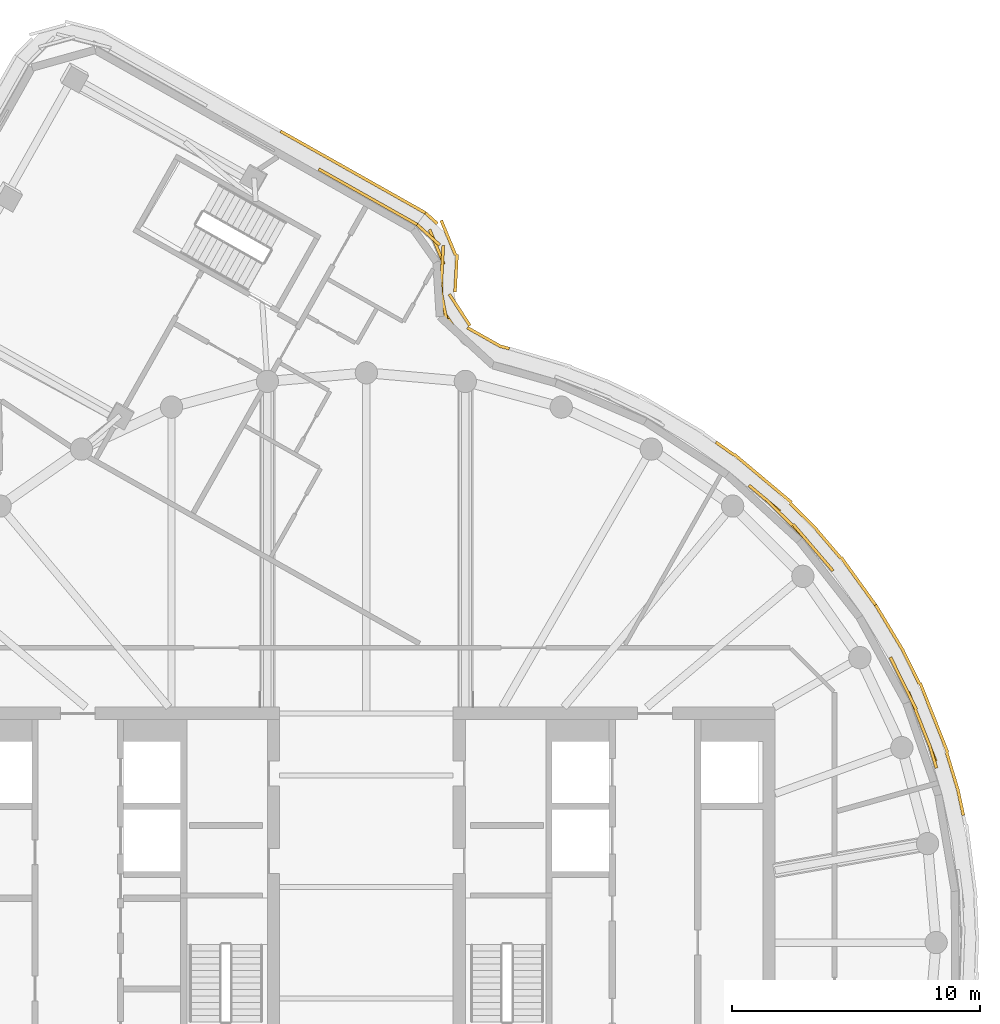
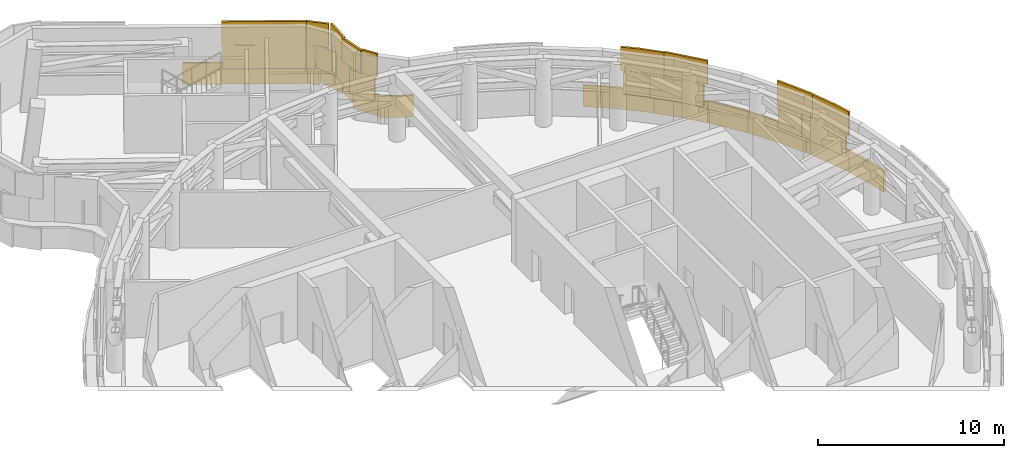
# One storey, part 15 of 15: 4 coverings.
"""IFC4 building model written with IfcOpenShell, lengths in metres."""

from ifc_helpers import new_model, si_unit, direction, frame, origin, origin_2d, place, context, subcontext, project, spatial, rectangle, extrude, material, layer, layer_set, type_object, element, save


model = new_model("IFC4")

# Units and contexts
model_context = context("Model", 3, precision=1e-05, world=origin(), true_north=direction((0.0, 1.0)))
body_context = subcontext(model_context, "Body", "Model", "MODEL_VIEW")
ifc_project = project(units=[si_unit("LENGTHUNIT", "METRE"), si_unit("AREAUNIT", "SQUARE_METRE"), si_unit("VOLUMEUNIT", "CUBIC_METRE"), si_unit("PLANEANGLEUNIT", "RADIAN"), si_unit("MASSUNIT", "GRAM", prefix="KILO")], contexts=[model_context])

# Site, building, storey
site_placement = place(None, origin())
site = spatial("IfcSite", under=ifc_project, at=site_placement, CompositionType="ELEMENT")
building_placement = place(site_placement, origin())
building = spatial("IfcBuilding", under=site, at=building_placement, Name="Tamarind Cross Interchange Tower", CompositionType="ELEMENT")
storey_placement = place(building_placement, frame((0.0, 0.0, 252.300048828125)))
storey = spatial("IfcBuildingStorey", under=building, at=storey_placement, Name="L64", CompositionType="ELEMENT", Elevation=252.300048828125)

# Coverings
ifc_material = material(Name="Terracotta", Category="masonry")
ifc_layer = layer(ifc_material, 0.1201171875)
ifc_layer_set = layer_set([ifc_layer], Name="Terracotta")
covering_type = type_object("IfcCoveringType", Name="Terracotta baguette screen unit", PredefinedType="MOLDING", material=ifc_layer_set)
covering_1_placement = place(storey_placement, origin())
element("IfcCovering", 1, at=covering_1_placement, inside=storey, type_object=covering_type, Name="SCR-L64-01-08", PredefinedType="MOLDING", context=body_context, shape_type="SweptSolid", body=[
    extrude(rectangle(XDim=1.52001953125, YDim=0.1201171875, at=origin_2d()), frame((22.709716796875, 8.013427734375, 1.404052734375), z_axis=(0.0, 0.0, 1.0), x_axis=(-0.367513773146, 0.930018078613, 0.0)), (0.0, 0.0, 1.0), 1.5419921875),
    extrude(rectangle(XDim=1.52001953125, YDim=0.1201171875, at=origin_2d()), frame((22.158447265625, 9.408447265625, 1.404052734375), z_axis=(0.0, 0.0, 1.0), x_axis=(-0.367513773146, 0.930018078613, 0.0)), (0.0, 0.0, 1.0), 1.5419921875),
    extrude(rectangle(XDim=1.52001953125, YDim=0.1201171875, at=origin_2d()), frame((21.523193359375, 10.76611328125, 1.404052734375), z_axis=(0.0, 0.0, 1.0), x_axis=(-0.443058811505, 0.896492548518, 0.0)), (0.0, 0.0, 1.0), 1.5419921875),
    extrude(rectangle(XDim=1.021728515625, YDim=0.1201171875, at=origin_2d()), frame((22.864013671875, 7.531982421875, 2.953857421875), z_axis=(0.0, 0.0, 1.0), x_axis=(-0.289458243079, 0.957190642199, 0.0)), (0.0, 0.0, 1.0), 1.5419921875),
    extrude(rectangle(XDim=1.52001953125, YDim=0.1201171875, at=origin_2d()), frame((22.43408203125, 8.7109375, 2.953857421875), z_axis=(0.0, 0.0, 1.0), x_axis=(-0.367513773146, 0.930018078613, 0.0)), (0.0, 0.0, 1.0), 1.5419921875),
    extrude(rectangle(XDim=1.52001953125, YDim=0.1201171875, at=origin_2d()), frame((21.85546875, 10.09375, 2.953857421875), z_axis=(0.0, 0.0, 1.0), x_axis=(-0.443058811505, 0.896492548518, 0.0)), (0.0, 0.0, 1.0), 1.5419921875),
    extrude(rectangle(XDim=0.841064453125, YDim=0.1201171875, at=origin_2d()), frame((21.339111328125, 11.138671875, 2.953857421875), z_axis=(0.0, 0.0, 1.0), x_axis=(-0.443058811505, 0.896492548518, 0.0)), (0.0, 0.0, 1.0), 1.5419921875),
    extrude(rectangle(XDim=1.130615234375, YDim=0.1201171875, at=origin_2d()), frame((23.979736328125, 5.68896484375, 0.00390625), z_axis=(0.0, 0.0, 1.0), x_axis=(-0.209425419705, 0.977824623121, 0.0)), (0.0, 0.0, 1.0), 1.39208984375),
    extrude(rectangle(XDim=1.52001953125, YDim=0.1201171875, at=origin_2d()), frame((23.640380859375, 6.9482421875, 0.00390625), z_axis=(0.0, 0.0, 1.0), x_axis=(-0.289458243079, 0.957190642199, 0.0)), (0.0, 0.0, 1.0), 1.39208984375),
    extrude(rectangle(XDim=1.52001953125, YDim=0.1201171875, at=origin_2d()), frame((23.18359375, 8.376220703125, 0.00390625), z_axis=(0.0, 0.0, 1.0), x_axis=(-0.367513773146, 0.930018078613, 0.0)), (0.0, 0.0, 1.0), 1.39208984375),
    extrude(rectangle(XDim=1.52001953125, YDim=0.1201171875, at=origin_2d()), frame((22.63232421875, 9.771240234375, 0.00390625), z_axis=(0.0, 0.0, 1.0), x_axis=(-0.367513773146, 0.930018078613, 0.0)), (0.0, 0.0, 1.0), 1.39208984375),
    extrude(rectangle(XDim=1.52001953125, YDim=0.1201171875, at=origin_2d()), frame((21.986572265625, 11.124267578125, 0.00390625), z_axis=(0.0, 0.0, 1.0), x_axis=(-0.443058811505, 0.896492548518, 0.0)), (0.0, 0.0, 1.0), 1.39208984375),
    extrude(rectangle(XDim=1.52001953125, YDim=0.1201171875, at=origin_2d()), frame((21.270263671875, 12.440673828125, 0.00390625), z_axis=(0.0, 0.0, 1.0), x_axis=(-0.515577308909, 0.856843065292, 0.0)), (0.0, 0.0, 1.0), 1.39208984375),
    extrude(rectangle(XDim=0.64794921875, YDim=0.1201171875, at=origin_2d()), frame((20.7216796875, 13.3525390625, 0.00390625), z_axis=(0.0, 0.0, 1.0), x_axis=(-0.515577308909, 0.856843065292, 0.0)), (0.0, 0.0, 1.0), 1.39208984375),
])
covering_2_placement = place(storey_placement, origin())
element("IfcCovering", 2, at=covering_2_placement, inside=storey, type_object=covering_type, Name="SCR-L64-01-09", PredefinedType="MOLDING", context=body_context, shape_type="SweptSolid", body=[
    extrude(rectangle(XDim=1.52001953125, YDim=0.1201171875, at=origin_2d()), frame((18.20361328125, 15.741455078125, 1.404052734375), z_axis=(0.0, 0.0, 1.0), x_axis=(-0.64957723968, 0.760295606781, 0.0)), (0.0, 0.0, 1.0), 1.5419921875),
    extrude(rectangle(XDim=1.52001953125, YDim=0.1201171875, at=origin_2d()), frame((17.18994140625, 16.845458984375, 1.404052734375), z_axis=(0.0, 0.0, 1.0), x_axis=(-0.710143317658, 0.704057148523, 0.0)), (0.0, 0.0, 1.0), 1.5419921875),
    extrude(rectangle(XDim=1.52001953125, YDim=0.1201171875, at=origin_2d()), frame((16.115966796875, 17.89208984375, 1.404052734375), z_axis=(0.0, 0.0, 1.0), x_axis=(-0.765858396687, 0.643009266048, 0.0)), (0.0, 0.0, 1.0), 1.5419921875),
    extrude(rectangle(XDim=0.978759765625, YDim=0.1201171875, at=origin_2d()), frame((18.518310546875, 15.373291015625, 2.953857421875), z_axis=(0.0, 0.0, 1.0), x_axis=(-0.64957723968, 0.760295606781, 0.0)), (0.0, 0.0, 1.0), 1.5419921875),
    extrude(rectangle(XDim=1.52001953125, YDim=0.1201171875, at=origin_2d()), frame((17.71630859375, 16.311767578125, 2.953857421875), z_axis=(0.0, 0.0, 1.0), x_axis=(-0.64957723968, 0.760295606781, 0.0)), (0.0, 0.0, 1.0), 1.5419921875),
    extrude(rectangle(XDim=1.52001953125, YDim=0.1201171875, at=origin_2d()), frame((16.657470703125, 17.37353515625, 2.953857421875), z_axis=(0.0, 0.0, 1.0), x_axis=(-0.710143317658, 0.704057148523, 0.0)), (0.0, 0.0, 1.0), 1.5419921875),
    extrude(rectangle(XDim=0.88427734375, YDim=0.1201171875, at=origin_2d()), frame((15.78125, 18.173095703125, 2.953857421875), z_axis=(0.0, 0.0, 1.0), x_axis=(-0.765858396687, 0.643009266048, 0.0)), (0.0, 0.0, 1.0), 1.5419921875),
    extrude(rectangle(XDim=0.8720703125, YDim=0.1201171875, at=origin_2d()), frame((20.29541015625, 13.98095703125, 0.00390625), z_axis=(0.0, 0.0, 1.0), x_axis=(-0.584573890505, 0.811340475102, 0.0)), (0.0, 0.0, 1.0), 1.39208984375),
    extrude(rectangle(XDim=1.52001953125, YDim=0.1201171875, at=origin_2d()), frame((19.60791015625, 14.93505859375, 0.00390625), z_axis=(0.0, 0.0, 1.0), x_axis=(-0.584573890505, 0.811340475102, 0.0)), (0.0, 0.0, 1.0), 1.39208984375),
    extrude(rectangle(XDim=1.52001953125, YDim=0.1201171875, at=origin_2d()), frame((18.6572265625, 16.09423828125, 0.00390625), z_axis=(0.0, 0.0, 1.0), x_axis=(-0.64957723968, 0.760295606781, 0.0)), (0.0, 0.0, 1.0), 1.39208984375),
    extrude(rectangle(XDim=1.52001953125, YDim=0.1201171875, at=origin_2d()), frame((17.646728515625, 17.200927734375, 0.00390625), z_axis=(0.0, 0.0, 1.0), x_axis=(-0.710143317658, 0.704057148523, 0.0)), (0.0, 0.0, 1.0), 1.39208984375),
    extrude(rectangle(XDim=1.52001953125, YDim=0.1201171875, at=origin_2d()), frame((16.578125, 18.25341796875, 0.00390625), z_axis=(0.0, 0.0, 1.0), x_axis=(-0.765858396687, 0.643009266048, 0.0)), (0.0, 0.0, 1.0), 1.39208984375),
    extrude(rectangle(XDim=1.52001953125, YDim=0.1201171875, at=origin_2d()), frame((15.429443359375, 19.218017578125, 0.00390625), z_axis=(0.0, 0.0, 1.0), x_axis=(-0.765858396687, 0.643009266048, 0.0)), (0.0, 0.0, 1.0), 1.39208984375),
    extrude(rectangle(XDim=0.90673828125, YDim=0.1201171875, at=origin_2d()), frame((14.479248046875, 19.9384765625, 0.00390625), z_axis=(0.0, 0.0, 1.0), x_axis=(-0.816341886298, 0.577568978284, 0.0)), (0.0, 0.0, 1.0), 1.39208984375),
])
covering_3_placement = place(storey_placement, origin())
element("IfcCovering", 3, at=covering_3_placement, inside=storey, type_object=covering_type, Name="SCR-L64-01-11", PredefinedType="MOLDING", context=body_context, shape_type="SweptSolid", body=[
    extrude(rectangle(XDim=1.52001953125, YDim=0.1201171875, at=origin_2d()), frame((3.31005859375, 25.181396484375, 1.404052734375), z_axis=(0.0, 0.0, 1.0), x_axis=(-0.55006735433, 0.835120294149, 0.0)), (0.0, 0.0, 1.0), 1.5419921875),
    extrude(rectangle(XDim=1.52001953125, YDim=0.1201171875, at=origin_2d()), frame((3.0322265625, 26.6298828125, 1.404052734375), z_axis=(0.0, 0.0, 1.0), x_axis=(0.025274267239, 0.999680554685, 0.0)), (0.0, 0.0, 1.0), 1.5419921875),
    extrude(rectangle(XDim=1.52001953125, YDim=0.1201171875, at=origin_2d()), frame((2.84033203125, 28.0830078125, 1.404052734375), z_axis=(0.0, 0.0, 1.0), x_axis=(-0.381178257604, 0.924501560804, 0.0)), (0.0, 0.0, 1.0), 1.5419921875),
    extrude(rectangle(XDim=0.4873046875, YDim=0.1201171875, at=origin_2d()), frame((2.220947265625, 28.826416015625, 1.404052734375), z_axis=(0.0, 0.0, 1.0), x_axis=(-0.741599281417, 0.670843130547, 0.0)), (0.0, 0.0, 1.0), 1.5419921875),
    extrude(rectangle(XDim=0.899169921875, YDim=0.1201171875, at=origin_2d()), frame((3.5546875, 24.810302734375, 2.953857421875), z_axis=(0.0, 0.0, 1.0), x_axis=(-0.55006735433, 0.835120294149, 0.0)), (0.0, 0.0, 1.0), 1.5419921875),
    extrude(rectangle(XDim=1.52001953125, YDim=0.1201171875, at=origin_2d()), frame((3.0908203125, 25.886474609375, 2.953857421875), z_axis=(0.0, 0.0, 1.0), x_axis=(-0.189664586891, 0.981848941782, 0.0)), (0.0, 0.0, 1.0), 1.5419921875),
    extrude(rectangle(XDim=1.52001953125, YDim=0.1201171875, at=origin_2d()), frame((3.06396484375, 27.379150390625, 2.953857421875), z_axis=(0.0, 0.0, 1.0), x_axis=(0.05328508512, 0.998579340715, 0.0)), (0.0, 0.0, 1.0), 1.5419921875),
    extrude(rectangle(XDim=1.2373046875, YDim=0.1201171875, at=origin_2d()), frame((2.4990234375, 28.57470703125, 2.953857421875), z_axis=(0.0, 0.0, 1.0), x_axis=(-0.741599281417, 0.670843130547, 0.0)), (0.0, 0.0, 1.0), 1.5419921875),
    extrude(rectangle(XDim=0.4033203125, YDim=0.1201171875, at=origin_2d()), frame((5.57373046875, 24.027099609375, 0.00390625), z_axis=(0.0, 0.0, 1.0), x_axis=(-0.969189778778, 0.246315189773, 0.0)), (0.0, 0.0, 1.0), 1.39208984375),
    extrude(rectangle(XDim=1.52001953125, YDim=0.1201171875, at=origin_2d()), frame((4.737060546875, 24.4482421875, 0.00390625), z_axis=(0.0, 0.0, 1.0), x_axis=(-0.871334751578, 0.490689057034, 0.0)), (0.0, 0.0, 1.0), 1.39208984375),
    extrude(rectangle(XDim=1.52001953125, YDim=0.1201171875, at=origin_2d()), frame((3.761474609375, 25.539794921875, 0.00390625), z_axis=(0.0, 0.0, 1.0), x_axis=(-0.55006735433, 0.835120294149, 0.0)), (0.0, 0.0, 1.0), 1.39208984375),
    extrude(rectangle(XDim=1.52001953125, YDim=0.1201171875, at=origin_2d()), frame((3.61962890625, 27.01806640625, 0.00390625), z_axis=(0.0, 0.0, 1.0), x_axis=(0.05328508512, 0.998579340715, 0.0)), (0.0, 0.0, 1.0), 1.39208984375),
    extrude(rectangle(XDim=1.52001953125, YDim=0.1201171875, at=origin_2d()), frame((3.31005859375, 28.44970703125, 0.00390625), z_axis=(0.0, 0.0, 1.0), x_axis=(-0.381178257604, 0.924501560804, 0.0)), (0.0, 0.0, 1.0), 1.39208984375),
    extrude(rectangle(XDim=0.65087890625, YDim=0.1201171875, at=origin_2d()), frame((2.622802734375, 29.23681640625, 0.00390625), z_axis=(0.0, 0.0, 1.0), x_axis=(-0.741599281417, 0.670843130547, 0.0)), (0.0, 0.0, 1.0), 1.39208984375),
])
covering_4_placement = place(storey_placement, origin())
element("IfcCovering", 4, at=covering_4_placement, inside=storey, type_object=covering_type, Name="SCR-L64-02-00", PredefinedType="MOLDING", context=body_context, shape_type="SweptSolid", body=[
    extrude(rectangle(XDim=1.510009765625, YDim=0.1201171875, at=origin_2d()), frame((1.390380859375, 29.354736328125, 1.404052734375), z_axis=(0.0, 0.0, 1.0), x_axis=(-0.871200102162, 0.490928082303, 0.0)), (0.0, 0.0, 1.0), 1.5419921875),
    extrude(rectangle(XDim=1.52001953125, YDim=0.1201171875, at=origin_2d()), frame((0.083740234375, 30.091064453125, 1.404052734375), z_axis=(0.0, 0.0, 1.0), x_axis=(-0.871200102162, 0.490928082303, 0.0)), (0.0, 0.0, 1.0), 1.5419921875),
    extrude(rectangle(XDim=1.52001953125, YDim=0.1201171875, at=origin_2d()), frame((-1.22314453125, 30.827392578125, 1.404052734375), z_axis=(0.0, 0.0, 1.0), x_axis=(-0.871200102162, 0.490928082303, 0.0)), (0.0, 0.0, 1.0), 1.5419921875),
    extrude(rectangle(XDim=0.760009765625, YDim=0.1201171875, at=origin_2d()), frame((1.71728515625, 29.170654296875, 2.953857421875), z_axis=(0.0, 0.0, 1.0), x_axis=(-0.871200102162, 0.490928082303, 0.0)), (0.0, 0.0, 1.0), 1.5419921875),
    extrude(rectangle(XDim=1.52001953125, YDim=0.1201171875, at=origin_2d()), frame((0.737060546875, 29.722900390625, 2.953857421875), z_axis=(0.0, 0.0, 1.0), x_axis=(-0.871200102162, 0.490928082303, 0.0)), (0.0, 0.0, 1.0), 1.5419921875),
    extrude(rectangle(XDim=1.52001953125, YDim=0.1201171875, at=origin_2d()), frame((-0.569580078125, 30.459228515625, 2.953857421875), z_axis=(0.0, 0.0, 1.0), x_axis=(-0.871200102162, 0.490928082303, 0.0)), (0.0, 0.0, 1.0), 1.5419921875),
    extrude(rectangle(XDim=0.810546875, YDim=0.1201171875, at=origin_2d()), frame((-1.57177734375, 31.02392578125, 2.953857421875), z_axis=(0.0, 0.0, 1.0), x_axis=(-0.871200102162, 0.490928082303, 0.0)), (0.0, 0.0, 1.0), 1.5419921875),
    extrude(rectangle(XDim=1.510009765625, YDim=0.1201171875, at=origin_2d()), frame((1.7236328125, 29.82568359375, 0.00390625), z_axis=(0.0, 0.0, 1.0), x_axis=(-0.871200102162, 0.490928082303, 0.0)), (0.0, 0.0, 1.0), 1.39208984375),
    extrude(rectangle(XDim=1.52001953125, YDim=0.1201171875, at=origin_2d()), frame((0.42138671875, 30.5595703125, 0.00390625), z_axis=(0.0, 0.0, 1.0), x_axis=(-0.871200102162, 0.490928082303, 0.0)), (0.0, 0.0, 1.0), 1.39208984375),
    extrude(rectangle(XDim=1.52001953125, YDim=0.1201171875, at=origin_2d()), frame((-0.885498046875, 31.296142578125, 0.00390625), z_axis=(0.0, 0.0, 1.0), x_axis=(-0.871200102162, 0.490928082303, 0.0)), (0.0, 0.0, 1.0), 1.39208984375),
    extrude(rectangle(XDim=1.52001953125, YDim=0.1201171875, at=origin_2d()), frame((-2.1923828125, 32.032470703125, 0.00390625), z_axis=(0.0, 0.0, 1.0), x_axis=(-0.871200102162, 0.490928082303, 0.0)), (0.0, 0.0, 1.0), 1.39208984375),
    extrude(rectangle(XDim=0.723388671875, YDim=0.1201171875, at=origin_2d()), frame((-3.152099609375, 32.5732421875, 0.00390625), z_axis=(0.0, 0.0, 1.0), x_axis=(-0.871200102162, 0.490928082303, 0.0)), (0.0, 0.0, 1.0), 1.39208984375),
])

save(model, "model.ifc")
